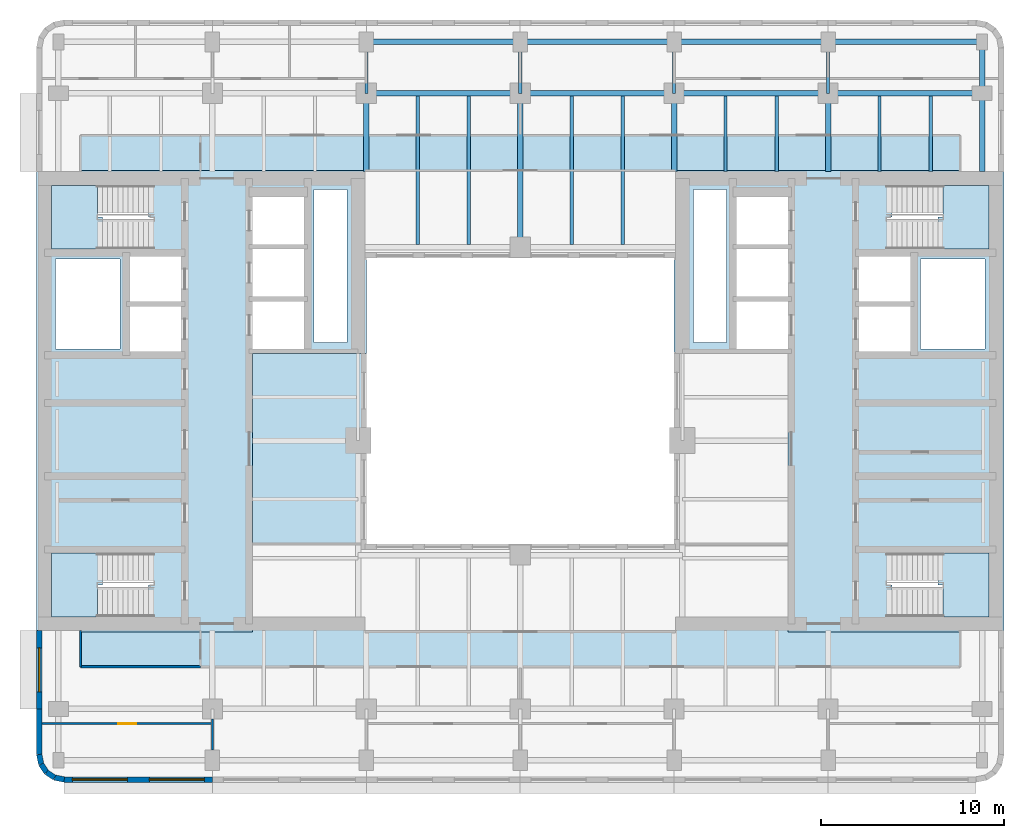
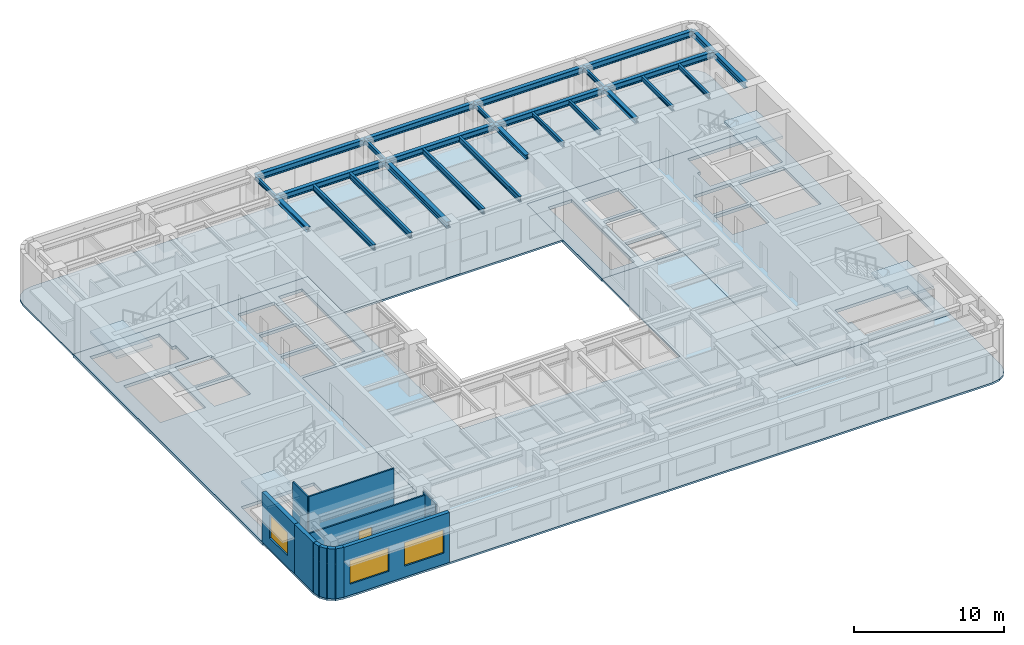
# One storey, part 2 of 11: 26 beams, 11 walls, 8 slabs, 3 windows, 1 door, 4 openings, 4 elements without a shape of their own.
"""IFC4 building model written with IfcOpenShell, lengths in metres."""

from ifc_helpers import new_model, si_unit, direction, frame, frame_2d, origin, origin_2d, place, context, subcontext, project, spatial, polyline, rectangle, i_section, outline, extrude, material, layer, layer_set, material_profile, profile_set, type_object, element, fill, aggregate, save


model = new_model("IFC4")

# Units and contexts
model_context = context("Model", 3, precision=1e-05, world=origin(), true_north=direction((0.0, 1.0)))
body_context = subcontext(model_context, "Body", "Model", "MODEL_VIEW")
ifc_project = project(units=[si_unit("LENGTHUNIT", "METRE"), si_unit("AREAUNIT", "SQUARE_METRE"), si_unit("VOLUMEUNIT", "CUBIC_METRE"), si_unit("PLANEANGLEUNIT", "RADIAN"), si_unit("MASSUNIT", "GRAM", prefix="KILO")], contexts=[model_context])

# Site, building, storey
site_placement = place(None, origin())
site = spatial("IfcSite", under=ifc_project, at=site_placement, CompositionType="ELEMENT")
building_placement = place(site_placement, origin())
building = spatial("IfcBuilding", under=site, at=building_placement, Name="Claustro Exchange Tower", CompositionType="ELEMENT")
storey_placement = place(building_placement, frame((0.0, 0.0, 194.39990234375)))
storey = spatial("IfcBuildingStorey", under=building, at=storey_placement, Name="L44", CompositionType="ELEMENT", Elevation=194.39990234375)

# Beams
ifc_material_1 = material(Name="Steel S355", Category="steel")
ifc_material_profile_1 = material_profile(ifc_material_1, i_section(OverallWidth=0.169921875, OverallDepth=0.360107421875, WebThickness=0.008056640625, FlangeThickness=0.0126953125, FilletRadius=0.01806640625, at=origin_2d()), Name="IPE 360")
ifc_profile_set_1 = profile_set([ifc_material_profile_1], Name="Steel S355")
beam_type_1 = type_object("IfcBeamType", Name="B16 IPE 360 short-span beam", PredefinedType="BEAM", material=ifc_profile_set_1)
for number, where, z_axis, x_axis, name in (
    (1, (16.800048828125, 42.0, 3.8701171875), (0.0, 1.0, 0.0), (-1.0, 0.0, 0.0), "Beam B16 L45"),
    (2, (25.199951171875, 42.0, 3.8701171875), (0.0, 1.0, 0.0), (-1.0, 0.0, 0.0), "Beam B16 L45"),
    (3, (33.60009765625, 42.0, 3.8701171875), (0.0, 1.0, 0.0), (-1.0, 0.0, 0.0), "Beam B16 L45"),
    (4, (42.0, 42.0, 3.8701171875), (0.0, 1.0, 0.0), (-1.0, 0.0, 0.0), "Beam B16 L45"),
):
    element("IfcBeam", number, at=place(storey_placement, frame(where, z_axis=z_axis, x_axis=x_axis)), inside=storey, type_object=beam_type_1, Name=name, PredefinedType="BEAM", context=body_context, shape_type="SweptSolid", body=[
        extrude(i_section(OverallWidth=0.169921875, OverallDepth=0.360107421875, WebThickness=0.008056640625, FlangeThickness=0.0126953125, FilletRadius=0.01806640625, at=origin_2d()), origin(), (0.0, 0.0, 1.0), 2.800048828125),
    ])
for number, where, z_axis, x_axis, name in (
    (5, (36.39990234375, 37.72509765625, 3.8701171875), (0.0, 1.0, 0.0), (-1.0, 0.0, 0.0), "Beam B16 L45"),
    (6, (39.199951171875, 37.72509765625, 3.8701171875), (0.0, 1.0, 0.0), (-1.0, 0.0, 0.0), "Beam B16 L45"),
    (7, (44.800048828125, 37.72509765625, 3.8701171875), (0.0, 1.0, 0.0), (-1.0, 0.0, 0.0), "Beam B16 L45"),
    (8, (47.60009765625, 37.72509765625, 3.8701171875), (0.0, 1.0, 0.0), (-1.0, 0.0, 0.0), "Beam B16 L45"),
):
    element("IfcBeam", number, at=place(storey_placement, frame(where, z_axis=z_axis, x_axis=x_axis)), inside=storey, type_object=beam_type_1, Name=name, PredefinedType="BEAM", context=body_context, shape_type="SweptSolid", body=[
        extrude(i_section(OverallWidth=0.169921875, OverallDepth=0.360107421875, WebThickness=0.008056640625, FlangeThickness=0.0126953125, FilletRadius=0.01806640625, at=origin_2d()), origin(), (0.0, 0.0, 1.0), 4.125),
    ])
ifc_material_2 = material(Name="Steel S355", Category="steel")
ifc_material_profile_2 = material_profile(ifc_material_2, i_section(OverallWidth=0.300048828125, OverallDepth=0.360107421875, WebThickness=0.012451171875, FlangeThickness=0.0224609375, FilletRadius=0.027099609375, at=origin_2d()), Name="HE 360 B")
ifc_profile_set_2 = profile_set([ifc_material_profile_2], Name="Steel S355")
beam_type_2 = type_object("IfcBeamType", Name="B29 HE 360 B column to core link beam", PredefinedType="BEAM", material=ifc_profile_set_2)
for number, where, z_axis, x_axis, name in (
    (9, (16.800048828125, 37.72509765625, 3.8701171875), (0.0, 1.0, 0.0), (-1.0, 0.0, 0.0), "Beam B29 L45"),
    (10, (33.60009765625, 37.72509765625, 3.8701171875), (0.0, 1.0, 0.0), (-1.0, 0.0, 0.0), "Beam B29 L45"),
    (11, (42.0, 37.72509765625, 3.8701171875), (0.0, 1.0, 0.0), (-1.0, 0.0, 0.0), "Beam B29 L45"),
):
    element("IfcBeam", number, at=place(storey_placement, frame(where, z_axis=z_axis, x_axis=x_axis)), inside=storey, type_object=beam_type_2, Name=name, PredefinedType="BEAM", context=body_context, shape_type="SweptSolid", body=[
        extrude(i_section(OverallWidth=0.300048828125, OverallDepth=0.360107421875, WebThickness=0.012451171875, FlangeThickness=0.0224609375, FilletRadius=0.027099609375, at=origin_2d()), origin(), (0.0, 0.0, 1.0), 4.27490234375),
    ])
ifc_material_3 = material(Name="Steel S355", Category="steel")
ifc_material_profile_3 = material_profile(ifc_material_3, i_section(OverallWidth=0.300048828125, OverallDepth=0.5, WebThickness=0.014404296875, FlangeThickness=0.028076171875, FilletRadius=0.027099609375, at=origin_2d()), Name="HE 500 B")
ifc_profile_set_3 = profile_set([ifc_material_profile_3], Name="Steel S355")
beam_type_3 = type_object("IfcBeamType", Name="B7 HE 500 B floor girder", PredefinedType="BEAM", material=ifc_profile_set_3)
for number, where, z_axis, x_axis, name in (
    (12, (25.199951171875, 33.60009765625, 3.800048828125), (0.0, 1.0, 0.0), (-1.0, 0.0, 0.0), "Beam B7 L45"),
    (13, (16.800048828125, 42.0, 3.800048828125), (1.0, 0.0, 0.0), (0.0, 1.0, 0.0), "Beam B7 L45"),
):
    element("IfcBeam", number, at=place(storey_placement, frame(where, z_axis=z_axis, x_axis=x_axis)), inside=storey, type_object=beam_type_3, Name=name, PredefinedType="BEAM", context=body_context, shape_type="SweptSolid", body=[
        extrude(i_section(OverallWidth=0.300048828125, OverallDepth=0.5, WebThickness=0.014404296875, FlangeThickness=0.028076171875, FilletRadius=0.027099609375, at=origin_2d()), origin(), (0.0, 0.0, 1.0), 8.39990234375),
    ])
beam_1_placement = place(storey_placement, frame((25.199951171875, 42.0, 3.800048828125), z_axis=(1.0, 0.0, 0.0), x_axis=(0.0, 1.0, 0.0)))
element("IfcBeam", 14, at=beam_1_placement, inside=storey, type_object=beam_type_3, Name="Beam B7 L45", PredefinedType="BEAM", context=body_context, shape_type="SweptSolid", body=[
    extrude(i_section(OverallWidth=0.300048828125, OverallDepth=0.5, WebThickness=0.014404296875, FlangeThickness=0.028076171875, FilletRadius=0.027099609375, at=origin_2d()), origin(), (0.0, 0.0, 1.0), 8.400146484375),
])
for number, where, z_axis, x_axis, name in (
    (15, (33.60009765625, 42.0, 3.800048828125), (1.0, 0.0, 0.0), (0.0, 1.0, 0.0), "Beam B7 L45"),
    (16, (42.0, 42.0, 3.800048828125), (1.0, 0.0, 0.0), (0.0, 1.0, 0.0), "Beam B7 L45"),
):
    element("IfcBeam", number, at=place(storey_placement, frame(where, z_axis=z_axis, x_axis=x_axis)), inside=storey, type_object=beam_type_3, Name=name, PredefinedType="BEAM", context=body_context, shape_type="SweptSolid", body=[
        extrude(i_section(OverallWidth=0.300048828125, OverallDepth=0.5, WebThickness=0.014404296875, FlangeThickness=0.028076171875, FilletRadius=0.027099609375, at=origin_2d()), origin(), (0.0, 0.0, 1.0), 8.39990234375),
    ])
ifc_material_4 = material(Name="Steel S355", Category="steel")
ifc_material_profile_4 = material_profile(ifc_material_4, i_section(OverallWidth=0.18994140625, OverallDepth=0.449951171875, WebThickness=0.009521484375, FlangeThickness=0.0146484375, FilletRadius=0.02099609375, at=origin_2d()), Name="IPE 450")
ifc_profile_set_4 = profile_set([ifc_material_profile_4], Name="Steel S355")
beam_type_4 = type_object("IfcBeamType", Name="B8 IPE 450 secondary beam", PredefinedType="BEAM", material=ifc_profile_set_4)
for number, where, z_axis, x_axis, name in (
    (17, (19.60009765625, 33.75, 3.8251953125), (0.0, 1.0, 0.0), (-1.0, 0.0, 0.0), "Beam B8 L45"),
    (18, (22.39990234375, 33.75, 3.8251953125), (0.0, 1.0, 0.0), (-1.0, 0.0, 0.0), "Beam B8 L45"),
    (19, (28.0, 33.75, 3.8251953125), (0.0, 1.0, 0.0), (-1.0, 0.0, 0.0), "Beam B8 L45"),
    (20, (30.800048828125, 33.75, 3.8251953125), (0.0, 1.0, 0.0), (-1.0, 0.0, 0.0), "Beam B8 L45"),
):
    element("IfcBeam", number, at=place(storey_placement, frame(where, z_axis=z_axis, x_axis=x_axis)), inside=storey, type_object=beam_type_4, Name=name, PredefinedType="BEAM", context=body_context, shape_type="SweptSolid", body=[
        extrude(i_section(OverallWidth=0.18994140625, OverallDepth=0.449951171875, WebThickness=0.009521484375, FlangeThickness=0.0146484375, FilletRadius=0.02099609375, at=origin_2d()), origin(), (0.0, 0.0, 1.0), 8.10009765625),
    ])
ifc_material_5 = material(Name="Steel S355", Category="steel")
ifc_material_profile_5 = material_profile(ifc_material_5, i_section(OverallWidth=0.300048828125, OverallDepth=0.489990234375, WebThickness=0.011962890625, FlangeThickness=0.02294921875, FilletRadius=0.027099609375, at=origin_2d()), Name="HE 500 A")
ifc_profile_set_5 = profile_set([ifc_material_profile_5], Name="Steel S355")
beam_type_5 = type_object("IfcBeamType", Name="B9 HE 500 A spandrel edge girder", PredefinedType="SPANDREL", material=ifc_profile_set_5)
beam_2_placement = place(storey_placement, frame((50.39990234375, 37.72509765625, 3.80517578125), z_axis=(0.0, 1.0, 0.0), x_axis=(-1.0, 0.0, 0.0)))
element("IfcBeam", 21, at=beam_2_placement, inside=storey, type_object=beam_type_5, Name="Beam B9 L45", PredefinedType="SPANDREL", context=body_context, shape_type="SweptSolid", body=[
    extrude(i_section(OverallWidth=0.300048828125, OverallDepth=0.489990234375, WebThickness=0.011962890625, FlangeThickness=0.02294921875, FilletRadius=0.027099609375, at=origin_2d()), origin(), (0.0, 0.0, 1.0), 4.27490234375),
])
beam_3_placement = place(storey_placement, frame((50.39990234375, 42.0, 3.80517578125), z_axis=(0.0, 1.0, 0.0), x_axis=(-1.0, 0.0, 0.0)))
element("IfcBeam", 22, at=beam_3_placement, inside=storey, type_object=beam_type_5, Name="Beam B9 L45", PredefinedType="SPANDREL", context=body_context, shape_type="SweptSolid", body=[
    extrude(i_section(OverallWidth=0.300048828125, OverallDepth=0.489990234375, WebThickness=0.011962890625, FlangeThickness=0.02294921875, FilletRadius=0.027099609375, at=origin_2d()), origin(), (0.0, 0.0, 1.0), 2.800048828125),
])
beam_4_placement = place(storey_placement, frame((16.800048828125, 44.800048828125, 3.80517578125), z_axis=(1.0, 0.0, 0.0), x_axis=(0.0, 1.0, 0.0)))
element("IfcBeam", 23, at=beam_4_placement, inside=storey, type_object=beam_type_5, Name="Beam B9 L45", PredefinedType="SPANDREL", context=body_context, shape_type="SweptSolid", body=[
    extrude(i_section(OverallWidth=0.300048828125, OverallDepth=0.489990234375, WebThickness=0.011962890625, FlangeThickness=0.02294921875, FilletRadius=0.027099609375, at=origin_2d()), origin(), (0.0, 0.0, 1.0), 8.39990234375),
])
beam_5_placement = place(storey_placement, frame((25.199951171875, 44.800048828125, 3.80517578125), z_axis=(1.0, 0.0, 0.0), x_axis=(0.0, 1.0, 0.0)))
element("IfcBeam", 24, at=beam_5_placement, inside=storey, type_object=beam_type_5, Name="Beam B9 L45", PredefinedType="SPANDREL", context=body_context, shape_type="SweptSolid", body=[
    extrude(i_section(OverallWidth=0.300048828125, OverallDepth=0.489990234375, WebThickness=0.011962890625, FlangeThickness=0.02294921875, FilletRadius=0.027099609375, at=origin_2d()), origin(), (0.0, 0.0, 1.0), 8.400146484375),
])
for number, where, z_axis, x_axis, name in (
    (25, (33.60009765625, 44.800048828125, 3.80517578125), (1.0, 0.0, 0.0), (0.0, 1.0, 0.0), "Beam B9 L45"),
    (26, (42.0, 44.800048828125, 3.80517578125), (1.0, 0.0, 0.0), (0.0, 1.0, 0.0), "Beam B9 L45"),
):
    element("IfcBeam", number, at=place(storey_placement, frame(where, z_axis=z_axis, x_axis=x_axis)), inside=storey, type_object=beam_type_5, Name=name, PredefinedType="SPANDREL", context=body_context, shape_type="SweptSolid", body=[
        extrude(i_section(OverallWidth=0.300048828125, OverallDepth=0.489990234375, WebThickness=0.011962890625, FlangeThickness=0.02294921875, FilletRadius=0.027099609375, at=origin_2d()), origin(), (0.0, 0.0, 1.0), 8.39990234375),
    ])

# Slabs
ifc_material_6 = material(Name="Concrete HA-50 (C50/60)", Category="concrete")
ifc_layer_1 = layer(ifc_material_6, 0.14990234375)
ifc_layer_set_1 = layer_set([ifc_layer_1], Name="Concrete HA-50 (C50/60)")
slab_type_1 = type_object("IfcSlabType", Name="S2 150 composite floor slab", PredefinedType="FLOOR", material=ifc_layer_set_1)
slab_1_placement = place(storey_placement, frame((0.0, 0.0, -0.14990234375)))
element("IfcSlab", 27, at=slab_1_placement, inside=storey, type_object=slab_type_1, Name="Floor slab S2 S L44", PredefinedType="FLOOR", context=body_context, shape_type="SweptSolid", body=[
    extrude(outline(polyline([(-0.27392578125, 4.51416015625), (0.300048828125, 4.39990234375), (50.10009765625, 4.39990234375), (50.674072265625, 4.51416015625), (51.16064453125, 4.83935546875), (51.48583984375, 5.325927734375), (51.60009765625, 5.89990234375), (51.60009765625, 12.60009765625), (39.800048828125, 12.60009765625), (39.800048828125, 27.800048828125), (33.60009765625, 27.800048828125), (33.60009765625, 17.39990234375), (16.800048828125, 17.39990234375), (16.800048828125, 27.800048828125), (10.60009765625, 27.800048828125), (10.60009765625, 12.60009765625), (-1.199951171875, 12.60009765625), (-1.199951171875, 5.89990234375), (-1.085693359375, 5.325927734375), (-0.7607421875, 4.83935546875), (-0.27392578125, 4.51416015625)])), origin(), (0.0, 0.0, 1.0), 0.14990234375),
])
slab_2_placement = place(storey_placement, frame((0.0, 0.0, -0.14990234375)))
element("IfcSlab", 28, at=slab_2_placement, inside=storey, type_object=slab_type_1, Name="Floor slab S2 N L44", PredefinedType="FLOOR", context=body_context, shape_type="SweptSolid", body=[
    extrude(outline(polyline([(16.800048828125, 37.800048828125), (16.800048828125, 33.0), (33.60009765625, 33.0), (33.60009765625, 37.800048828125), (51.60009765625, 37.800048828125), (51.60009765625, 44.5), (51.48583984375, 45.073974609375), (51.16064453125, 45.560791015625), (50.674072265625, 45.8857421875), (50.10009765625, 46.0), (0.300048828125, 46.0), (-0.27392578125, 45.8857421875), (-0.7607421875, 45.560791015625), (-1.085693359375, 45.073974609375), (-1.199951171875, 44.5), (-1.199951171875, 37.800048828125), (16.800048828125, 37.800048828125)])), origin(), (0.0, 0.0, 1.0), 0.14990234375),
])
ifc_material_7 = material(Name="Concrete HA-50 (C50/60)", Category="concrete")
ifc_layer_2 = layer(ifc_material_7, 0.25)
ifc_layer_set_2 = layer_set([ifc_layer_2], Name="Concrete HA-50 (C50/60)")
slab_type_2 = type_object("IfcSlabType", Name="S7 250 core floor slab", PredefinedType="FLOOR", material=ifc_layer_set_2)
slab_3_placement = place(storey_placement, frame((0.0, 0.0, -0.25)))
element("IfcSlab", 29, at=slab_3_placement, inside=storey, type_object=slab_type_2, Name="Core floor slab S7 W core L44", PredefinedType="FLOOR", context=body_context, shape_type="SweptSolid", body=[
    extrude(outline(polyline([(-1.199951171875, 37.800048828125), (-1.199951171875, 12.60009765625), (10.60009765625, 12.60009765625), (10.60009765625, 27.800048828125), (16.800048828125, 27.800048828125), (16.800048828125, 37.800048828125), (-1.199951171875, 37.800048828125)]), holes=[polyline([(13.949951171875, 36.75), (15.75, 36.75), (15.75, 28.39990234375), (13.949951171875, 28.39990234375), (13.949951171875, 36.75)]), polyline([(10.60009765625, 30.64990234375), (13.39990234375, 30.64990234375), (13.39990234375, 28.050048828125), (10.60009765625, 28.050048828125), (10.60009765625, 30.64990234375)]), polyline([(10.60009765625, 33.5), (13.39990234375, 33.5), (13.39990234375, 30.89990234375), (10.60009765625, 30.89990234375), (10.60009765625, 33.5)]), polyline([(13.39990234375, 36.35009765625), (13.39990234375, 33.75), (10.60009765625, 33.75), (10.60009765625, 36.35009765625), (13.39990234375, 36.35009765625)]), polyline([(3.89990234375, 30.375), (6.699951171875, 30.375), (6.699951171875, 27.89990234375), (3.89990234375, 27.89990234375), (3.89990234375, 30.375)]), polyline([(3.89990234375, 33.10009765625), (6.699951171875, 33.10009765625), (6.699951171875, 30.625), (3.89990234375, 30.625), (3.89990234375, 33.10009765625)]), polyline([(-0.375, 15.16259765625), (-0.375, 16.89990234375), (5.195068359375, 16.89990234375), (5.195068359375, 15.16259765625), (4.919921875, 15.16259765625), (4.919921875, 13.425048828125), (-0.375, 13.425048828125), (-0.375, 15.16259765625)]), polyline([(-0.375, 35.237548828125), (-0.375, 36.97509765625), (4.919921875, 36.97509765625), (4.919921875, 35.237548828125), (5.195068359375, 35.237548828125), (5.195068359375, 33.5), (-0.375, 33.5), (-0.375, 35.237548828125)]), polyline([(-0.14990234375, 32.949951171875), (3.35009765625, 32.949951171875), (3.35009765625, 28.050048828125), (-0.14990234375, 28.050048828125), (-0.14990234375, 32.949951171875)])]), origin(), (0.0, 0.0, 1.0), 0.25),
])
slab_4_placement = place(storey_placement, frame((0.0, 0.0, -0.25)))
element("IfcSlab", 30, at=slab_4_placement, inside=storey, type_object=slab_type_2, Name="Core floor slab S7 E core L44", PredefinedType="FLOOR", context=body_context, shape_type="SweptSolid", body=[
    extrude(outline(polyline([(51.60009765625, 37.800048828125), (33.60009765625, 37.800048828125), (33.60009765625, 27.800048828125), (39.800048828125, 27.800048828125), (39.800048828125, 12.60009765625), (51.60009765625, 12.60009765625), (51.60009765625, 37.800048828125)]), holes=[polyline([(45.47998046875, 15.16259765625), (45.205078125, 15.16259765625), (45.205078125, 16.89990234375), (50.77490234375, 16.89990234375), (50.77490234375, 15.16259765625), (50.77490234375, 13.425048828125), (45.47998046875, 13.425048828125), (45.47998046875, 15.16259765625)]), polyline([(45.47998046875, 35.237548828125), (45.47998046875, 36.97509765625), (50.77490234375, 36.97509765625), (50.77490234375, 35.237548828125), (50.77490234375, 33.5), (45.205078125, 33.5), (45.205078125, 35.237548828125), (45.47998046875, 35.237548828125)]), polyline([(47.050048828125, 32.949951171875), (50.550048828125, 32.949951171875), (50.550048828125, 28.050048828125), (47.050048828125, 28.050048828125), (47.050048828125, 32.949951171875)]), polyline([(43.699951171875, 30.375), (46.5, 30.375), (46.5, 27.89990234375), (43.699951171875, 27.89990234375), (43.699951171875, 30.375)]), polyline([(43.699951171875, 33.10009765625), (46.5, 33.10009765625), (46.5, 30.625), (43.699951171875, 30.625), (43.699951171875, 33.10009765625)]), polyline([(37.0, 30.64990234375), (39.800048828125, 30.64990234375), (39.800048828125, 28.050048828125), (37.0, 28.050048828125), (37.0, 30.64990234375)]), polyline([(37.0, 33.5), (39.800048828125, 33.5), (39.800048828125, 30.89990234375), (37.0, 30.89990234375), (37.0, 33.5)]), polyline([(39.800048828125, 36.35009765625), (39.800048828125, 33.75), (37.0, 33.75), (37.0, 36.35009765625), (39.800048828125, 36.35009765625)]), polyline([(34.64990234375, 36.75), (36.449951171875, 36.75), (36.449951171875, 28.39990234375), (34.64990234375, 28.39990234375), (34.64990234375, 36.75)])]), origin(), (0.0, 0.0, 1.0), 0.25),
])

# Stair, slab
ifc_material_8 = material(Name="Concrete HA-30 (C30/37), precast", Category="concrete")
stair_type = type_object("IfcStairType", Name="ST1 half-turn stair, 24 risers of 175", PredefinedType="HALF_TURN_STAIR", material=ifc_material_8)
stair_1_placement = place(storey_placement, origin())
stair_1 = element("IfcStair", 31, at=stair_1_placement, inside=storey, type_object=stair_type, Name="Stair STWA L44", PredefinedType="HALF_TURN_STAIR")
ifc_material_9 = material(Name="Concrete HA-30 (C30/37), precast", Category="concrete")
ifc_layer_3 = layer(ifc_material_9, 0.199951171875)
ifc_layer_set_3 = layer_set([ifc_layer_3], Name="Concrete HA-30 (C30/37), precast")
slab_type_3 = type_object("IfcSlabType", Name="S9 200 stair landing", PredefinedType="LANDING", material=ifc_layer_set_3)
slab_5_placement = place(storey_placement, frame((0.0, 0.0, 1.900146484375)))
slab_5 = element("IfcSlab", 32, at=slab_5_placement, type_object=slab_type_3, Name="STWA landing 1", PredefinedType="LANDING", context=body_context, shape_type="SweptSolid", body=[
    extrude(outline(polyline([(2.125, 13.425048828125), (-0.375, 13.425048828125), (-0.375, 16.89990234375), (2.1201171875, 16.89990234375), (2.125, 16.89990234375), (2.39990234375, 16.89990234375), (2.39990234375, 15.16259765625), (2.125, 15.16259765625), (2.125, 13.425048828125)])), origin(), (0.0, 0.0, 1.0), 0.199951171875),
])
aggregate(stair_1, [slab_5])

stair_2_placement = place(storey_placement, origin())
stair_2 = element("IfcStair", 33, at=stair_2_placement, inside=storey, type_object=stair_type, Name="Stair STWB L44", PredefinedType="HALF_TURN_STAIR")
slab_6_placement = place(storey_placement, frame((0.0, 0.0, 1.900146484375)))
slab_6 = element("IfcSlab", 34, at=slab_6_placement, type_object=slab_type_3, Name="STWB landing 1", PredefinedType="LANDING", context=body_context, shape_type="SweptSolid", body=[
    extrude(outline(polyline([(2.39990234375, 35.237548828125), (2.39990234375, 33.5), (2.125, 33.5), (2.1201171875, 33.5), (-0.375, 33.5), (-0.375, 36.97509765625), (2.125, 36.97509765625), (2.125, 35.237548828125), (2.39990234375, 35.237548828125)])), origin(), (0.0, 0.0, 1.0), 0.199951171875),
])
aggregate(stair_2, [slab_6])

stair_3_placement = place(storey_placement, origin())
stair_3 = element("IfcStair", 35, at=stair_3_placement, inside=storey, type_object=stair_type, Name="Stair STEA L44", PredefinedType="HALF_TURN_STAIR")
slab_7_placement = place(storey_placement, frame((0.0, 0.0, 1.900146484375)))
slab_7 = element("IfcSlab", 36, at=slab_7_placement, type_object=slab_type_3, Name="STEA landing 1", PredefinedType="LANDING", context=body_context, shape_type="SweptSolid", body=[
    extrude(outline(polyline([(50.77490234375, 16.89990234375), (50.77490234375, 13.425048828125), (48.27490234375, 13.425048828125), (48.27490234375, 15.16259765625), (48.0, 15.16259765625), (48.0, 16.89990234375), (48.27490234375, 16.89990234375), (48.280029296875, 16.89990234375), (50.77490234375, 16.89990234375)])), origin(), (0.0, 0.0, 1.0), 0.199951171875),
])
aggregate(stair_3, [slab_7])

stair_4_placement = place(storey_placement, origin())
stair_4 = element("IfcStair", 37, at=stair_4_placement, inside=storey, type_object=stair_type, Name="Stair STEB L44", PredefinedType="HALF_TURN_STAIR")
slab_8_placement = place(storey_placement, frame((0.0, 0.0, 1.900146484375)))
slab_8 = element("IfcSlab", 38, at=slab_8_placement, type_object=slab_type_3, Name="STEB landing 1", PredefinedType="LANDING", context=body_context, shape_type="SweptSolid", body=[
    extrude(outline(polyline([(48.0, 33.5), (48.0, 35.237548828125), (48.27490234375, 35.237548828125), (48.27490234375, 36.97509765625), (50.77490234375, 36.97509765625), (50.77490234375, 33.5), (48.280029296875, 33.5), (48.27490234375, 33.5), (48.0, 33.5)])), origin(), (0.0, 0.0, 1.0), 0.199951171875),
])
aggregate(stair_4, [slab_8])

# Wall, opening, door
ifc_material_10 = material(Name="Laminated glass in aluminium frame", Category="aluminium")
ifc_layer_4 = layer(ifc_material_10, 0.1201171875)
ifc_layer_set_4 = layer_set([ifc_layer_4], Name="Laminated glass in aluminium frame")
wall_type_1 = type_object("IfcWallType", Name="P2 120 glazed partition", PredefinedType="PARTITIONING", material=ifc_layer_set_4)
wall_1_placement = place(storey_placement, frame((-0.902099609375, 7.60009765625, 0.0), z_axis=(0.0, 0.0, 1.0), x_axis=(1.0, 0.0, 0.0)))
wall_1 = element("IfcWall", 39, at=wall_1_placement, inside=storey, type_object=wall_type_1, Name="Partition P2 L44", PredefinedType="PARTITIONING", context=body_context, shape_type="SweptSolid", body=[
    extrude(rectangle(XDim=9.302001953125, YDim=0.1201171875, at=frame_2d((4.65087890625, 0.0))), origin(), (0.0, 0.0, 1.0), 3.56005859375),
])
opening_1_placement = place(wall_1_placement, frame((4.152099609375, 0.0, 0.0)))
opening_1 = element("IfcOpeningElement", 40, at=opening_1_placement, cuts=wall_1, Name="Opening D7", PredefinedType="OPENING", context=body_context, shape_type="SweptSolid", body=[
    extrude(rectangle(XDim=1.0, YDim=2.39990234375, at=frame_2d((0.5, 1.199951171875))), frame((0.0, 0.070068359375, 0.0), z_axis=(0.0, -1.0, 0.0), x_axis=(1.0, 0.0, 0.0)), (0.0, 0.0, 1.0), 0.14013671875),
])
ifc_material_11 = material(Name="Glass door in aluminium frame", Category="aluminium")
door_type = type_object("IfcDoorType", Name="D7 1000 x 2400 glazed door", OperationType="SINGLE_SWING_LEFT", PredefinedType="DOOR", material=ifc_material_11)
door_placement = place(opening_1_placement, frame((1.0, 0.0, 0.0), z_axis=(0.0, 0.0, 1.0), x_axis=(-1.0, 0.0, 0.0)))
door = element("IfcDoor", 41, at=door_placement, inside=storey, type_object=door_type, Name="Door D7 L44", OperationType="SINGLE_SWING_LEFT", OverallHeight=2.39990234375, OverallWidth=1.0, PredefinedType="DOOR", context=body_context, shape_type="SweptSolid", body=[
    extrude(rectangle(XDim=1.0, YDim=2.39990234375, at=frame_2d((0.5, 1.199951171875))), frame((0.0, 0.02490234375, 0.0), z_axis=(0.0, -1.0, 0.0), x_axis=(1.0, 0.0, 0.0)), (0.0, 0.0, 1.0), 0.050048828125),
])
fill(opening_1, door)

# Walls
wall_2_placement = place(storey_placement, frame((8.39990234375, 6.14892578125, 0.0), z_axis=(0.0, 0.0, 1.0), x_axis=(0.0, 1.0, 0.0)))
element("IfcWall", 42, at=wall_2_placement, inside=storey, type_object=wall_type_1, Name="Partition P2 L44", PredefinedType="PARTITIONING", context=body_context, shape_type="SweptSolid", body=[
    extrude(rectangle(XDim=1.703125, YDim=0.1201171875, at=frame_2d((0.8515625, 0.0))), origin(), (0.0, 0.0, 1.0), 3.690185546875),
])
wall_3_placement = place(storey_placement, frame((1.199951171875, 10.699951171875, 0.0), z_axis=(0.0, 0.0, 1.0), x_axis=(1.0, 0.0, 0.0)))
element("IfcWall", 43, at=wall_3_placement, inside=storey, type_object=wall_type_1, Name="Partition P2 L44", PredefinedType="PARTITIONING", context=body_context, shape_type="SweptSolid", body=[
    extrude(rectangle(XDim=6.552001953125, YDim=0.1201171875, at=frame_2d((3.27587890625, 0.0))), origin(), (0.0, 0.0, 1.0), 4.050048828125),
])
wall_4_placement = place(storey_placement, frame((1.199951171875, 10.699951171875, 0.0), z_axis=(0.0, 0.0, 1.0), x_axis=(0.0, 1.0, 0.0)))
element("IfcWall", 44, at=wall_4_placement, inside=storey, type_object=wall_type_1, Name="Partition P2 L44", PredefinedType="PARTITIONING", context=body_context, shape_type="SweptSolid", body=[
    extrude(rectangle(XDim=1.97607421875, YDim=0.1201171875, at=frame_2d((0.988037109375, 0.0))), origin(), (0.0, 0.0, 1.0), 4.050048828125),
])

# Wall, openings, windows
ifc_material_12 = material(Name="Concrete HA-40 (C40/50), precast, white cement, acid-etched", Category="concrete")
ifc_layer_5 = layer(ifc_material_12, 0.300048828125)
ifc_layer_set_5 = layer_set([ifc_layer_5], Name="Concrete HA-40 (C40/50), precast, white cement, acid-etched")
wall_type_2 = type_object("IfcWallType", Name="PC1 300 precast concrete pier panel", PredefinedType="SOLIDWALL", material=ifc_layer_set_5)
wall_5_placement = place(storey_placement, frame((8.39990234375, 4.550048828125, 0.0), z_axis=(0.0, 0.0, 1.0), x_axis=(-1.0, 0.0, 0.0)))
wall_5 = element("IfcWall", 45, at=wall_5_placement, inside=storey, type_object=wall_type_2, Name="Precast pier panel PC1 L44", PredefinedType="SOLIDWALL", context=body_context, shape_type="SweptSolid", body=[
    extrude(rectangle(XDim=8.085205078125, YDim=0.300048828125, at=frame_2d((4.04248046875, 0.0))), origin(), (0.0, 0.0, 1.0), 4.050048828125),
])
opening_2_placement = place(wall_5_placement, frame((0.442626953125, 0.0, 0.89990234375)))
opening_2 = element("IfcOpeningElement", 46, at=opening_2_placement, cuts=wall_5, Name="Opening W1", PredefinedType="OPENING", context=body_context, shape_type="SweptSolid", body=[
    extrude(rectangle(XDim=3.0, YDim=1.89990234375, at=frame_2d((1.5, 0.949951171875))), frame((0.0, 0.159912109375, 0.0), z_axis=(0.0, -1.0, 0.0), x_axis=(1.0, 0.0, 0.0)), (0.0, 0.0, 1.0), 0.320068359375),
])
opening_3_placement = place(wall_5_placement, frame((4.642578125, 0.0, 0.89990234375)))
opening_3 = element("IfcOpeningElement", 47, at=opening_3_placement, cuts=wall_5, Name="Opening W1", PredefinedType="OPENING", context=body_context, shape_type="SweptSolid", body=[
    extrude(rectangle(XDim=3.0, YDim=1.89990234375, at=frame_2d((1.5, 0.949951171875))), frame((0.0, 0.159912109375, 0.0), z_axis=(0.0, -1.0, 0.0), x_axis=(1.0, 0.0, 0.0)), (0.0, 0.0, 1.0), 0.320068359375),
])
ifc_material_13 = material(Name="Aluminium frame, clear double glazing", Category="aluminium")
window_type_1 = type_object("IfcWindowType", Name="W1 3000 x 1900 window", PartitioningType="SINGLE_PANEL", PredefinedType="WINDOW", material=ifc_material_13)
window_1_placement = place(opening_2_placement, origin())
window_1 = element("IfcWindow", 48, at=window_1_placement, inside=storey, type_object=window_type_1, Name="Window W1 L44", OverallHeight=1.89990234375, OverallWidth=3.0, PartitioningType="SINGLE_PANEL", PredefinedType="WINDOW", context=body_context, shape_type="SweptSolid", body=[
    extrude(rectangle(XDim=3.0, YDim=1.89990234375, at=frame_2d((1.5, 0.949951171875))), frame((0.0, 0.030029296875, 0.0), z_axis=(0.0, -1.0, 0.0), x_axis=(1.0, 0.0, 0.0)), (0.0, 0.0, 1.0), 0.06005859375),
])
fill(opening_2, window_1)
window_2_placement = place(opening_3_placement, origin())
window_2 = element("IfcWindow", 49, at=window_2_placement, inside=storey, type_object=window_type_1, Name="Window W1 L44", OverallHeight=1.89990234375, OverallWidth=3.0, PartitioningType="SINGLE_PANEL", PredefinedType="WINDOW", context=body_context, shape_type="SweptSolid", body=[
    extrude(rectangle(XDim=3.0, YDim=1.89990234375, at=frame_2d((1.5, 0.949951171875))), frame((0.0, 0.030029296875, 0.0), z_axis=(0.0, -1.0, 0.0), x_axis=(1.0, 0.0, 0.0)), (0.0, 0.0, 1.0), 0.06005859375),
])
fill(opening_3, window_2)

# Walls
wall_6_placement = place(storey_placement, frame((0.314697265625, 4.550048828125, 0.0), z_axis=(0.0, 0.0, 1.0), x_axis=(-0.980788534345, 0.195073962632, 0.0)))
element("IfcWall", 50, at=wall_6_placement, inside=storey, type_object=wall_type_2, Name="Precast pier panel PC1 L44", PredefinedType="SOLIDWALL", context=body_context, shape_type="SweptSolid", body=[
    extrude(rectangle(XDim=0.540771484375, YDim=0.300048828125, at=frame_2d((0.2705078125, 0.0))), origin(), (0.0, 0.0, 1.0), 4.050048828125),
])
for number, where, z_axis, x_axis, name in (
    (51, (-0.215576171875, 4.655517578125, 0.0), (0.0, 0.0, 1.0), (-0.831478144188, 0.555557463938, 0.0), "Precast pier panel PC1 L44"),
    (52, (-0.652587890625, 4.947509765625, 0.0), (0.0, 0.0, 1.0), (-0.555557463938, 0.831478144188, 0.0), "Precast pier panel PC1 L44"),
):
    element("IfcWall", number, at=place(storey_placement, frame(where, z_axis=z_axis, x_axis=x_axis)), inside=storey, type_object=wall_type_2, Name=name, PredefinedType="SOLIDWALL", context=body_context, shape_type="SweptSolid", body=[
        extrude(rectangle(XDim=0.525634765625, YDim=0.300048828125, at=frame_2d((0.2626953125, 0.0))), origin(), (0.0, 0.0, 1.0), 4.050048828125),
    ])
wall_7_placement = place(storey_placement, frame((-0.944580078125, 5.384521484375, 0.0), z_axis=(0.0, 0.0, 1.0), x_axis=(-0.195073962632, 0.980788534345, 0.0)))
element("IfcWall", 53, at=wall_7_placement, inside=storey, type_object=wall_type_2, Name="Precast pier panel PC1 L44", PredefinedType="SOLIDWALL", context=body_context, shape_type="SweptSolid", body=[
    extrude(rectangle(XDim=0.540771484375, YDim=0.300048828125, at=frame_2d((0.2705078125, 0.0))), origin(), (0.0, 0.0, 1.0), 4.050048828125),
])
wall_8_placement = place(storey_placement, frame((-1.050048828125, 5.914794921875, 0.0), z_axis=(0.0, 0.0, 1.0), x_axis=(0.0, 1.0, 0.0)))
element("IfcWall", 54, at=wall_8_placement, inside=storey, type_object=wall_type_2, Name="Precast pier panel PC1 L44", PredefinedType="SOLIDWALL", context=body_context, shape_type="SweptSolid", body=[
    extrude(rectangle(XDim=2.485107421875, YDim=0.300048828125, at=frame_2d((1.24267578125, 0.0))), origin(), (0.0, 0.0, 1.0), 4.050048828125),
])

# Wall, opening, window
wall_9_placement = place(storey_placement, frame((-1.050048828125, 8.39990234375, 0.0), z_axis=(0.0, 0.0, 1.0), x_axis=(0.0, 1.0, 0.0)))
wall_9 = element("IfcWall", 55, at=wall_9_placement, inside=storey, type_object=wall_type_2, Name="Precast pier panel PC1 L44", PredefinedType="SOLIDWALL", context=body_context, shape_type="SweptSolid", body=[
    extrude(rectangle(XDim=4.275146484375, YDim=0.300048828125, at=frame_2d((2.1376953125, 0.0))), origin(), (0.0, 0.0, 1.0), 4.050048828125),
])
opening_4_placement = place(wall_9_placement, frame((0.9375, 0.0, 0.89990234375)))
opening_4 = element("IfcOpeningElement", 56, at=opening_4_placement, cuts=wall_9, Name="Opening W2", PredefinedType="OPENING", context=body_context, shape_type="SweptSolid", body=[
    extrude(rectangle(XDim=2.39990234375, YDim=1.89990234375, at=frame_2d((1.199951171875, 0.949951171875))), frame((0.0, 0.159912109375, 0.0), z_axis=(0.0, -1.0, 0.0), x_axis=(1.0, 0.0, 0.0)), (0.0, 0.0, 1.0), 0.320068359375),
])
ifc_material_14 = material(Name="Aluminium frame, clear double glazing", Category="aluminium")
window_type_2 = type_object("IfcWindowType", Name="W2 2400 x 1900 window", PartitioningType="SINGLE_PANEL", PredefinedType="WINDOW", material=ifc_material_14)
window_3_placement = place(opening_4_placement, origin())
window_3 = element("IfcWindow", 57, at=window_3_placement, inside=storey, type_object=window_type_2, Name="Window W2 L44", OverallHeight=1.89990234375, OverallWidth=2.39990234375, PartitioningType="SINGLE_PANEL", PredefinedType="WINDOW", context=body_context, shape_type="SweptSolid", body=[
    extrude(rectangle(XDim=2.39990234375, YDim=1.89990234375, at=frame_2d((1.199951171875, 0.949951171875))), frame((0.0, 0.030029296875, 0.0), z_axis=(0.0, -1.0, 0.0), x_axis=(1.0, 0.0, 0.0)), (0.0, 0.0, 1.0), 0.06005859375),
])
fill(opening_4, window_3)

save(model, "model.ifc")
